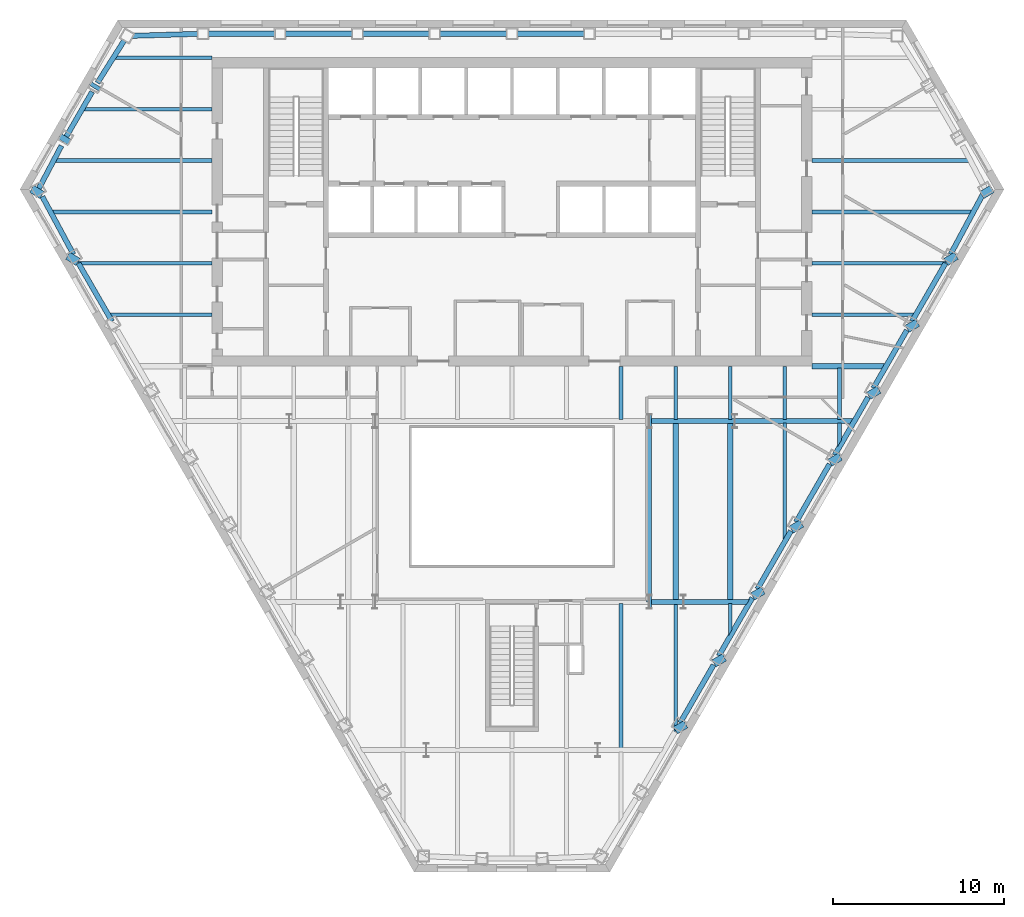
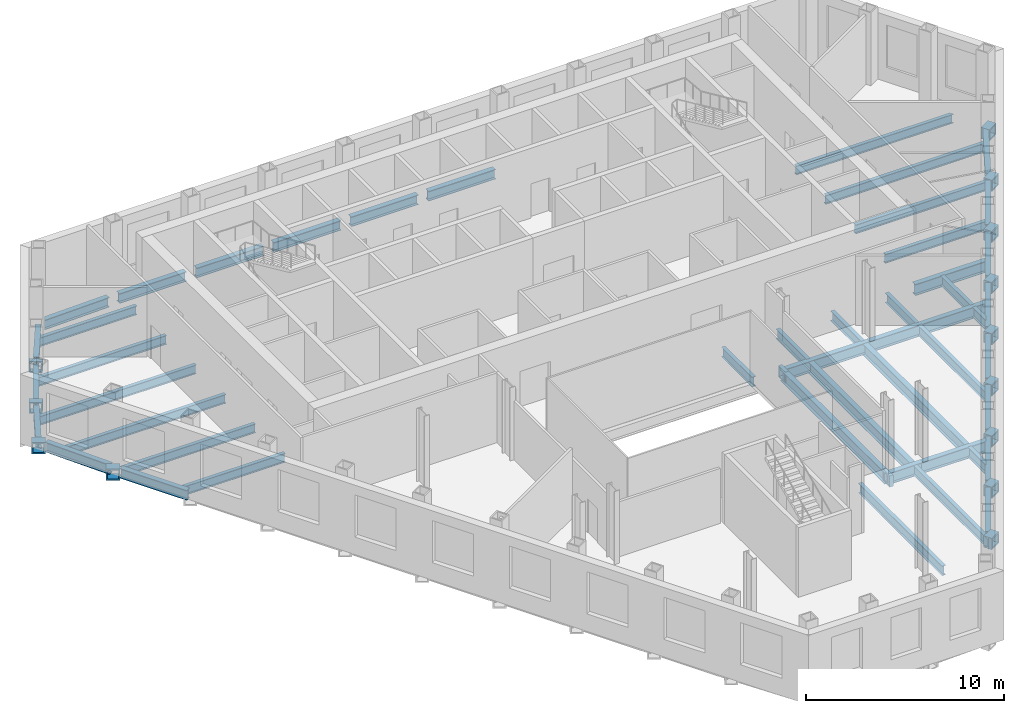
# One storey, part 3 of 11: 62 beams.
"""IFC4 building model written with IfcOpenShell, lengths in metres."""

from ifc_helpers import new_model, si_unit, direction, frame, origin, origin_2d, place, context, subcontext, project, spatial, hollow_rectangle, i_section, extrude, clip, halfspace, material, material_profile, profile_set, type_object, element, save


model = new_model("IFC4")

# Units and contexts
model_context = context("Model", 3, precision=1e-05, world=origin(), true_north=direction((0.0, 1.0)))
body_context = subcontext(model_context, "Body", "Model", "MODEL_VIEW")
ifc_project = project(units=[si_unit("LENGTHUNIT", "METRE"), si_unit("AREAUNIT", "SQUARE_METRE"), si_unit("VOLUMEUNIT", "CUBIC_METRE"), si_unit("PLANEANGLEUNIT", "RADIAN"), si_unit("MASSUNIT", "GRAM", prefix="KILO")], contexts=[model_context])

# Site, building, storey
site_placement = place(None, origin())
site = spatial("IfcSite", under=ifc_project, at=site_placement, CompositionType="ELEMENT")
building_placement = place(site_placement, origin())
building = spatial("IfcBuilding", under=site, at=building_placement, Name="Njiva Tower", CompositionType="ELEMENT")
storey_placement = place(building_placement, frame((0.0, 0.0, 46.8)))
storey = spatial("IfcBuildingStorey", under=building, at=storey_placement, Name="L09", CompositionType="ELEMENT", Elevation=46.8)

# Beams
ifc_material = material(Name="Steel S355 J2", Category="steel")
ifc_material_profile_1 = material_profile(ifc_material, i_section(OverallWidth=0.21, OverallDepth=0.55, WebThickness=0.0111, FlangeThickness=0.0172, at=origin_2d()), Name="IPE 550")
ifc_profile_set_1 = profile_set([ifc_material_profile_1], Name="Steel S355 J2")
beam_type_1 = type_object("IfcBeamType", Name="B10 Floor beam to the core IPE 550", PredefinedType="BEAM", material=ifc_profile_set_1)
beam_1_placement = place(storey_placement, frame((-23.521, 3.0, -0.475), z_axis=(1.0, 0.0, 0.0), x_axis=(0.0, 1.0, 0.0)))
element("IfcBeam", 1, at=beam_1_placement, inside=storey, type_object=beam_type_1, Name="Floor beam to the core S03-B006", PredefinedType="BEAM", context=body_context, shape_type="Clipping", body=[
    clip(extrude(i_section(OverallWidth=0.21, OverallDepth=0.55, WebThickness=0.0111, FlangeThickness=0.0172, at=origin_2d()), origin(), (0.0, 0.0, 1.0), 6.021), halfspace(frame((-0.025, 0.0, 0.0951), z_axis=(-0.499998009787, 0.0, -0.866026552831), x_axis=(0.0, -1.0, 0.0)), False)),
])
beam_2_placement = place(storey_placement, frame((17.5, 3.0, -0.475), z_axis=(1.0, 0.0, 0.0), x_axis=(0.0, 1.0, 0.0)))
element("IfcBeam", 2, at=beam_2_placement, inside=storey, type_object=beam_type_1, Name="Floor beam to the core S03-B008", PredefinedType="BEAM", context=body_context, shape_type="Clipping", body=[
    clip(extrude(i_section(OverallWidth=0.21, OverallDepth=0.55, WebThickness=0.0111, FlangeThickness=0.0172, at=origin_2d()), origin(), (0.0, 0.0, 1.0), 6.021), halfspace(frame((-0.025, 0.0, 5.9259), z_axis=(-0.499998009787, 0.0, 0.866026552831), x_axis=(0.0, 1.0, 0.0)), False)),
])
beam_3_placement = place(storey_placement, frame((-25.378, 6.0, -0.475), z_axis=(1.0, 0.0, 0.0), x_axis=(0.0, 1.0, 0.0)))
element("IfcBeam", 3, at=beam_3_placement, inside=storey, type_object=beam_type_1, Name="Floor beam to the core S03-B003", PredefinedType="BEAM", context=body_context, shape_type="Clipping", body=[
    clip(extrude(i_section(OverallWidth=0.21, OverallDepth=0.55, WebThickness=0.0111, FlangeThickness=0.0172, at=origin_2d()), origin(), (0.0, 0.0, 1.0), 7.878), halfspace(frame((-0.025, 0.0, 0.0959), z_axis=(-0.499998009787, 0.0, -0.866026552831), x_axis=(0.0, -1.0, 0.0)), False)),
])
beam_4_placement = place(storey_placement, frame((17.5, 6.0, -0.475), z_axis=(1.0, 0.0, 0.0), x_axis=(0.0, 1.0, 0.0)))
element("IfcBeam", 4, at=beam_4_placement, inside=storey, type_object=beam_type_1, Name="Floor beam to the core S03-B010", PredefinedType="BEAM", context=body_context, shape_type="Clipping", body=[
    clip(extrude(i_section(OverallWidth=0.21, OverallDepth=0.55, WebThickness=0.0111, FlangeThickness=0.0172, at=origin_2d()), origin(), (0.0, 0.0, 1.0), 7.878), halfspace(frame((-0.025, 0.0, 7.7821), z_axis=(-0.499998009787, 0.0, 0.866026552831), x_axis=(0.0, 1.0, 0.0)), False)),
])
beam_5_placement = place(storey_placement, frame((-26.881, 9.0, -0.475), z_axis=(1.0, 0.0, 0.0), x_axis=(0.0, 1.0, 0.0)))
element("IfcBeam", 5, at=beam_5_placement, inside=storey, type_object=beam_type_1, Name="Floor beam to the core S03-B001", PredefinedType="BEAM", context=body_context, shape_type="Clipping", body=[
    clip(extrude(i_section(OverallWidth=0.21, OverallDepth=0.55, WebThickness=0.0111, FlangeThickness=0.0172, at=origin_2d()), origin(), (0.0, 0.0, 1.0), 9.381), halfspace(frame((-0.0237, 0.0, 0.0892), z_axis=(-0.473769423091, 0.0, -0.880648927634), x_axis=(0.0, -1.0, 0.0)), False)),
])
beam_6_placement = place(storey_placement, frame((17.5, 9.0, -0.475), z_axis=(1.0, 0.0, 0.0), x_axis=(0.0, 1.0, 0.0)))
element("IfcBeam", 6, at=beam_6_placement, inside=storey, type_object=beam_type_1, Name="Floor beam to the core S03-B011", PredefinedType="BEAM", context=body_context, shape_type="Clipping", body=[
    clip(extrude(i_section(OverallWidth=0.21, OverallDepth=0.55, WebThickness=0.0111, FlangeThickness=0.0172, at=origin_2d()), origin(), (0.0, 0.0, 1.0), 9.381), halfspace(frame((-0.0237, 0.0, 9.2918), z_axis=(-0.473769423091, 0.0, 0.880648927634), x_axis=(0.0, 1.0, 0.0)), False)),
])
beam_7_placement = place(storey_placement, frame((-26.704, 12.0, -0.475), z_axis=(1.0, 0.0, 0.0), x_axis=(0.0, 1.0, 0.0)))
element("IfcBeam", 7, at=beam_7_placement, inside=storey, type_object=beam_type_1, Name="Floor beam to the core S03-B002", PredefinedType="BEAM", context=body_context, shape_type="Clipping", body=[
    clip(extrude(i_section(OverallWidth=0.21, OverallDepth=0.55, WebThickness=0.0111, FlangeThickness=0.0172, at=origin_2d()), origin(), (0.0, 0.0, 1.0), 9.204), halfspace(frame((0.0233, 0.0, 0.0871), z_axis=(0.465930652932, 0.0, -0.884821239945), x_axis=(0.0, -1.0, 0.0)), False)),
])
beam_8_placement = place(storey_placement, frame((17.5, 12.0, -0.475), z_axis=(1.0, 0.0, 0.0), x_axis=(0.0, 1.0, 0.0)))
element("IfcBeam", 8, at=beam_8_placement, inside=storey, type_object=beam_type_1, Name="Floor beam to the core S03-B012", PredefinedType="BEAM", context=body_context, shape_type="Clipping", body=[
    clip(extrude(i_section(OverallWidth=0.21, OverallDepth=0.55, WebThickness=0.0111, FlangeThickness=0.0172, at=origin_2d()), origin(), (0.0, 0.0, 1.0), 9.204), halfspace(frame((0.0233, 0.0, 9.1169), z_axis=(0.465930652932, 0.0, 0.884821239945), x_axis=(0.0, 1.0, 0.0)), False)),
])
beam_9_placement = place(storey_placement, frame((-25.044, 15.0, -0.475), z_axis=(1.0, 0.0, 0.0), x_axis=(0.0, 1.0, 0.0)))
element("IfcBeam", 9, at=beam_9_placement, inside=storey, type_object=beam_type_1, Name="Floor beam to the core S03-B005", PredefinedType="BEAM", context=body_context, shape_type="Clipping", body=[
    clip(extrude(i_section(OverallWidth=0.21, OverallDepth=0.55, WebThickness=0.0111, FlangeThickness=0.0172, at=origin_2d()), origin(), (0.0, 0.0, 1.0), 7.544), halfspace(frame((0.025, 0.0, 0.0954), z_axis=(0.499998009787, 0.0, -0.866026552831), x_axis=(0.0, -1.0, 0.0)), False)),
])
beam_10_placement = place(storey_placement, frame((-23.228, 18.0, -0.475), z_axis=(1.0, 0.0, 0.0), x_axis=(0.0, 1.0, 0.0)))
element("IfcBeam", 10, at=beam_10_placement, inside=storey, type_object=beam_type_1, Name="Floor beam to the core S03-B007", PredefinedType="BEAM", context=body_context, shape_type="Clipping", body=[
    clip(extrude(i_section(OverallWidth=0.21, OverallDepth=0.55, WebThickness=0.0111, FlangeThickness=0.0172, at=origin_2d()), origin(), (0.0, 0.0, 1.0), 5.728), halfspace(frame((0.0267, 0.0, 0.103), z_axis=(0.533317101749, 0.0, -0.84591540297), x_axis=(0.0, -1.0, 0.0)), False)),
])
ifc_material_profile_2 = material_profile(ifc_material, i_section(OverallWidth=0.3, OverallDepth=0.69, WebThickness=0.0145, FlangeThickness=0.027, at=origin_2d()), Name="HEA 700")
ifc_profile_set_2 = profile_set([ifc_material_profile_2], Name="Steel S355 J2")
beam_type_2 = type_object("IfcBeamType", Name="B12 Long-span floor joist HEA 700", PredefinedType="JOIST", material=ifc_profile_set_2)
for number, where, z_axis, x_axis, name in (
    (11, (9.55, -3.3, -0.545), (0.0, -1.0, 0.0), (1.0, 0.0, 0.0), "Long-span floor joist S03-B088"),
    (12, (12.733, -3.3, -0.545), (0.0, -1.0, 0.0), (1.0, 0.0, 0.0), "Long-span floor joist S03-B091"),
):
    element("IfcBeam", number, at=place(storey_placement, frame(where, z_axis=z_axis, x_axis=x_axis)), inside=storey, type_object=beam_type_2, Name=name, PredefinedType="JOIST", context=body_context, shape_type="SweptSolid", body=[
        extrude(i_section(OverallWidth=0.3, OverallDepth=0.69, WebThickness=0.0145, FlangeThickness=0.027, at=origin_2d()), origin(), (0.0, 0.0, 1.0), 10.35),
    ])
ifc_material_profile_3 = material_profile(ifc_material, i_section(OverallWidth=0.22, OverallDepth=0.6, WebThickness=0.012, FlangeThickness=0.019, at=origin_2d()), Name="IPE 600")
ifc_profile_set_3 = profile_set([ifc_material_profile_3], Name="Steel S355 J2")
beam_type_3 = type_object("IfcBeamType", Name="B13 Floor joist IPE 600", PredefinedType="JOIST", material=ifc_profile_set_3)
beam_11_placement = place(storey_placement, frame((6.367, -13.851, -0.5), z_axis=(0.0, -1.0, 0.0), x_axis=(1.0, 0.0, 0.0)))
element("IfcBeam", 13, at=beam_11_placement, inside=storey, type_object=beam_type_3, Name="Floor joist S03-B084", PredefinedType="JOIST", context=body_context, shape_type="SweptSolid", body=[
    extrude(i_section(OverallWidth=0.22, OverallDepth=0.6, WebThickness=0.012, FlangeThickness=0.019, at=origin_2d()), origin(), (0.0, 0.0, 1.0), 8.449),
])
beam_12_placement = place(storey_placement, frame((9.55, -13.85, -0.5), z_axis=(0.0, -1.0, 0.0), x_axis=(1.0, 0.0, 0.0)))
element("IfcBeam", 14, at=beam_12_placement, inside=storey, type_object=beam_type_3, Name="Floor joist S03-B086", PredefinedType="JOIST", context=body_context, shape_type="Clipping", body=[
    clip(extrude(i_section(OverallWidth=0.22, OverallDepth=0.6, WebThickness=0.012, FlangeThickness=0.019, at=origin_2d()), origin(), (0.0, 0.0, 1.0), 7.635), halfspace(frame((0.0433, 0.0, 7.349), z_axis=(0.866026552831, 0.0, 0.499998009787), x_axis=(0.0, 1.0, 0.0)), False)),
])
beam_13_placement = place(storey_placement, frame((15.917, -3.3, -0.5), z_axis=(0.0, -1.0, 0.0), x_axis=(1.0, 0.0, 0.0)))
element("IfcBeam", 15, at=beam_13_placement, inside=storey, type_object=beam_type_3, Name="Floor joist S03-B093", PredefinedType="JOIST", context=body_context, shape_type="Clipping", body=[
    clip(extrude(i_section(OverallWidth=0.22, OverallDepth=0.6, WebThickness=0.012, FlangeThickness=0.019, at=origin_2d()), origin(), (0.0, 0.0, 1.0), 6.942), halfspace(frame((0.043, 0.0, 6.6564), z_axis=(0.866026552831, 0.0, 0.499998009787), x_axis=(0.0, 1.0, 0.0)), False)),
])
ifc_material_profile_4 = material_profile(ifc_material, i_section(OverallWidth=0.22, OverallDepth=0.6, WebThickness=0.012, FlangeThickness=0.019, at=origin_2d()), Name="IPE 600")
ifc_profile_set_4 = profile_set([ifc_material_profile_4], Name="Steel S355 J2")
beam_type_4 = type_object("IfcBeamType", Name="B14 Short-span floor joist IPE 600", PredefinedType="JOIST", material=ifc_profile_set_4)
beam_14_placement = place(storey_placement, frame((6.367, -0.005, -0.5), z_axis=(0.0, -1.0, 0.0), x_axis=(1.0, 0.0, 0.0)))
element("IfcBeam", 16, at=beam_14_placement, inside=storey, type_object=beam_type_4, Name="Short-span floor joist S03-B085", PredefinedType="JOIST", context=body_context, shape_type="SweptSolid", body=[
    extrude(i_section(OverallWidth=0.22, OverallDepth=0.6, WebThickness=0.012, FlangeThickness=0.019, at=origin_2d()), origin(), (0.0, 0.0, 1.0), 3.094),
])
for number, where, z_axis, x_axis, name in (
    (17, (9.55, -0.005, -0.5), (0.0, -1.0, 0.0), (1.0, 0.0, 0.0), "Short-span floor joist S03-B089"),
    (18, (12.733, -0.005, -0.5), (0.0, -1.0, 0.0), (1.0, 0.0, 0.0), "Short-span floor joist S03-B092"),
):
    element("IfcBeam", number, at=place(storey_placement, frame(where, z_axis=z_axis, x_axis=x_axis)), inside=storey, type_object=beam_type_4, Name=name, PredefinedType="JOIST", context=body_context, shape_type="SweptSolid", body=[
        extrude(i_section(OverallWidth=0.22, OverallDepth=0.6, WebThickness=0.012, FlangeThickness=0.019, at=origin_2d()), origin(), (0.0, 0.0, 1.0), 3.095),
    ])
beam_15_placement = place(storey_placement, frame((12.733, -13.85, -0.5), z_axis=(0.0, -1.0, 0.0), x_axis=(1.0, 0.0, 0.0)))
element("IfcBeam", 19, at=beam_15_placement, inside=storey, type_object=beam_type_4, Name="Short-span floor joist S03-B090", PredefinedType="JOIST", context=body_context, shape_type="Clipping", body=[
    clip(extrude(i_section(OverallWidth=0.22, OverallDepth=0.6, WebThickness=0.012, FlangeThickness=0.019, at=origin_2d()), origin(), (0.0, 0.0, 1.0), 1.906), halfspace(frame((0.0436, 0.0, 1.6201), z_axis=(0.866026552831, 0.0, 0.499998009787), x_axis=(0.0, 1.0, 0.0)), False)),
])
beam_16_placement = place(storey_placement, frame((15.917, -0.005, -0.5), z_axis=(0.0, -1.0, 0.0), x_axis=(1.0, 0.0, 0.0)))
element("IfcBeam", 20, at=beam_16_placement, inside=storey, type_object=beam_type_4, Name="Short-span floor joist S03-B094", PredefinedType="JOIST", context=body_context, shape_type="SweptSolid", body=[
    extrude(i_section(OverallWidth=0.22, OverallDepth=0.6, WebThickness=0.012, FlangeThickness=0.019, at=origin_2d()), origin(), (0.0, 0.0, 1.0), 3.095),
])
beam_17_placement = place(storey_placement, frame((19.1, -0.1, -0.5), z_axis=(0.0, -1.0, 0.0), x_axis=(1.0, 0.0, 0.0)))
element("IfcBeam", 21, at=beam_17_placement, inside=storey, type_object=beam_type_4, Name="Short-span floor joist S03-B096", PredefinedType="JOIST", context=body_context, shape_type="SweptSolid", body=[
    extrude(i_section(OverallWidth=0.22, OverallDepth=0.6, WebThickness=0.012, FlangeThickness=0.019, at=origin_2d()), origin(), (0.0, 0.0, 1.0), 3.0),
])
beam_18_placement = place(storey_placement, frame((19.1, -3.3, -0.5), z_axis=(0.0, -1.0, 0.0), x_axis=(1.0, 0.0, 0.0)))
element("IfcBeam", 22, at=beam_18_placement, inside=storey, type_object=beam_type_4, Name="Short-span floor joist S03-B095", PredefinedType="JOIST", context=body_context, shape_type="Clipping", body=[
    clip(extrude(i_section(OverallWidth=0.22, OverallDepth=0.6, WebThickness=0.012, FlangeThickness=0.019, at=origin_2d()), origin(), (0.0, 0.0, 1.0), 1.429), halfspace(frame((0.0433, 0.0, 1.1427), z_axis=(0.866026552831, 0.0, 0.499998009787), x_axis=(0.0, 1.0, 0.0)), False)),
])
ifc_material_profile_5 = material_profile(ifc_material, i_section(OverallWidth=0.3, OverallDepth=0.69, WebThickness=0.0145, FlangeThickness=0.027, at=origin_2d()), Name="HEA 700")
ifc_profile_set_5 = profile_set([ifc_material_profile_5], Name="Steel S355 J2")
beam_type_5 = type_object("IfcBeamType", Name="B15 Floor girder HEA 700", PredefinedType="BEAM", material=ifc_profile_set_5)
beam_19_placement = place(storey_placement, frame((8.0, -3.2, -0.545), z_axis=(1.0, 0.0, 0.0), x_axis=(0.0, 1.0, 0.0)))
element("IfcBeam", 23, at=beam_19_placement, inside=storey, type_object=beam_type_5, Name="Floor girder S03-B024", PredefinedType="BEAM", context=body_context, shape_type="SweptSolid", body=[
    extrude(i_section(OverallWidth=0.3, OverallDepth=0.69, WebThickness=0.0145, FlangeThickness=0.027, at=origin_2d()), origin(), (0.0, 0.0, 1.0), 5.0),
])
beam_20_placement = place(storey_placement, frame((13.0, -3.2, -0.545), z_axis=(1.0, 0.0, 0.0), x_axis=(0.0, 1.0, 0.0)))
element("IfcBeam", 24, at=beam_20_placement, inside=storey, type_object=beam_type_5, Name="Floor girder S03-B026", PredefinedType="BEAM", context=body_context, shape_type="Clipping", body=[
    clip(extrude(i_section(OverallWidth=0.3, OverallDepth=0.69, WebThickness=0.0145, FlangeThickness=0.027, at=origin_2d()), origin(), (0.0, 0.0, 1.0), 6.968), halfspace(frame((-0.025, 0.0, 6.8463), z_axis=(-0.499998009787, 0.0, 0.866026552831), x_axis=(0.0, 1.0, 0.0)), False)),
])
ifc_material_profile_6 = material_profile(ifc_material, i_section(OverallWidth=0.3, OverallDepth=0.69, WebThickness=0.0145, FlangeThickness=0.027, at=origin_2d()), Name="HEA 700")
ifc_profile_set_6 = profile_set([ifc_material_profile_6], Name="Steel S355 J2")
beam_type_6 = type_object("IfcBeamType", Name="B16 Short-span floor girder HEA 700", PredefinedType="BEAM", material=ifc_profile_set_6)
beam_21_placement = place(storey_placement, frame((8.0, -13.75, -0.545), z_axis=(1.0, 0.0, 0.0), x_axis=(0.0, 1.0, 0.0)))
element("IfcBeam", 25, at=beam_21_placement, inside=storey, type_object=beam_type_6, Name="Short-span floor girder S03-B023", PredefinedType="BEAM", context=body_context, shape_type="SweptSolid", body=[
    extrude(i_section(OverallWidth=0.3, OverallDepth=0.69, WebThickness=0.0145, FlangeThickness=0.027, at=origin_2d()), origin(), (0.0, 0.0, 1.0), 2.0),
])
beam_22_placement = place(storey_placement, frame((10.0, -13.75, -0.545), z_axis=(1.0, 0.0, 0.0), x_axis=(0.0, 1.0, 0.0)))
element("IfcBeam", 26, at=beam_22_placement, inside=storey, type_object=beam_type_6, Name="Short-span floor girder S03-B025", PredefinedType="BEAM", context=body_context, shape_type="Clipping", body=[
    clip(extrude(i_section(OverallWidth=0.3, OverallDepth=0.69, WebThickness=0.0145, FlangeThickness=0.027, at=origin_2d()), origin(), (0.0, 0.0, 1.0), 3.877), halfspace(frame((-0.025, 0.0, 3.7553), z_axis=(-0.499998009787, 0.0, 0.866026552831), x_axis=(0.0, 1.0, 0.0)), False)),
])
beam_23_placement = place(storey_placement, frame((17.5, 0.0, -0.545), z_axis=(1.0, 0.0, 0.0), x_axis=(0.0, 1.0, 0.0)))
element("IfcBeam", 27, at=beam_23_placement, inside=storey, type_object=beam_type_6, Name="Short-span floor girder S03-B027", PredefinedType="BEAM", context=body_context, shape_type="Clipping", body=[
    clip(extrude(i_section(OverallWidth=0.3, OverallDepth=0.69, WebThickness=0.0145, FlangeThickness=0.027, at=origin_2d()), origin(), (0.0, 0.0, 1.0), 4.315), halfspace(frame((-0.025, 0.0, 4.1939), z_axis=(-0.499998009787, 0.0, 0.866026552831), x_axis=(0.0, 1.0, 0.0)), False)),
])
ifc_material_profile_7 = material_profile(ifc_material, i_section(OverallWidth=0.3, OverallDepth=0.69, WebThickness=0.0145, FlangeThickness=0.027, at=origin_2d()), Name="HEA 700")
ifc_profile_set_7 = profile_set([ifc_material_profile_7], Name="Steel S355 J2")
beam_type_7 = type_object("IfcBeamType", Name="B18 Long-span atrium trimmer beam HEA 700", PredefinedType="BEAM", material=ifc_profile_set_7)
beam_24_placement = place(storey_placement, frame((8.0, -13.75, -0.545), z_axis=(0.0, 1.0, 0.0), x_axis=(-1.0, 0.0, 0.0)))
element("IfcBeam", 28, at=beam_24_placement, inside=storey, type_object=beam_type_7, Name="Long-span atrium trimmer beam S03-B101", PredefinedType="BEAM", context=body_context, shape_type="SweptSolid", body=[
    extrude(i_section(OverallWidth=0.3, OverallDepth=0.69, WebThickness=0.0145, FlangeThickness=0.027, at=origin_2d()), origin(), (0.0, 0.0, 1.0), 10.55),
])
ifc_material_profile_8 = material_profile(ifc_material, hollow_rectangle(XDim=0.7, YDim=0.7, WallThickness=0.08, at=origin_2d()), Name="BOX 700x700x80")
ifc_profile_set_8 = profile_set([ifc_material_profile_8], Name="Steel S355 J2")
beam_type_8 = type_object("IfcBeamType", Name="B19 Column jog beam BOX 700x700x80", PredefinedType="BEAM", material=ifc_profile_set_8)
beam_25_placement = place(storey_placement, frame((-24.381, 16.221, -0.55), z_axis=(0.530374274626, 0.847763604323, 0.0), x_axis=(-0.847763604323, 0.530374274626, 0.0)))
element("IfcBeam", 29, at=beam_25_placement, inside=storey, type_object=beam_type_8, Name="Column jog beam S03-B031", PredefinedType="BEAM", context=body_context, shape_type="SweptSolid", body=[
    extrude(hollow_rectangle(XDim=0.7, YDim=0.7, WallThickness=0.08, at=origin_2d()), origin(), (0.0, 0.0, 1.0), 0.2395),
])
beam_26_placement = place(storey_placement, frame((-26.186, 13.093, -0.55), z_axis=(0.515738557296, 0.856746018677, 0.0), x_axis=(-0.856746018677, 0.515738557296, 0.0)))
element("IfcBeam", 30, at=beam_26_placement, inside=storey, type_object=beam_type_8, Name="Column jog beam S03-B029", PredefinedType="BEAM", context=body_context, shape_type="SweptSolid", body=[
    extrude(hollow_rectangle(XDim=0.7, YDim=0.7, WallThickness=0.08, at=origin_2d()), origin(), (0.0, 0.0, 1.0), 0.3548),
])
beam_27_placement = place(storey_placement, frame((-27.839, 9.964, -0.55), z_axis=(0.511075392877, 0.859535888021, 0.0), x_axis=(-0.859535888021, 0.511075392877, 0.0)))
element("IfcBeam", 31, at=beam_27_placement, inside=storey, type_object=beam_type_8, Name="Column jog beam S03-B028", PredefinedType="BEAM", context=body_context, shape_type="SweptSolid", body=[
    extrude(hollow_rectangle(XDim=0.7, YDim=0.7, WallThickness=0.08, at=origin_2d()), origin(), (0.0, 0.0, 1.0), 0.4735),
])
beam_28_placement = place(storey_placement, frame((-25.738, 6.059, -0.55), z_axis=(0.51014905422, 0.860086008768, 0.0), x_axis=(-0.860086008768, 0.51014905422, 0.0)))
element("IfcBeam", 32, at=beam_28_placement, inside=storey, type_object=beam_type_8, Name="Column jog beam S03-B030", PredefinedType="BEAM", context=body_context, shape_type="SweptSolid", body=[
    extrude(hollow_rectangle(XDim=0.7, YDim=0.7, WallThickness=0.08, at=origin_2d()), origin(), (0.0, 0.0, 1.0), 0.4744),
])
for number, where, z_axis, x_axis, name in (
    (33, (9.957, -21.273, -0.55), (-0.495234720822, 0.868759213645, 0.0), (-0.868759213645, -0.495234720822, 0.0), "Column jog beam S03-B049"),
    (34, (12.211, -17.369, -0.55), (-0.495234720822, 0.868759213645, 0.0), (-0.868759213645, -0.495234720822, 0.0), "Column jog beam S03-B050"),
):
    element("IfcBeam", number, at=place(storey_placement, frame(where, z_axis=z_axis, x_axis=x_axis)), inside=storey, type_object=beam_type_8, Name=name, PredefinedType="BEAM", context=body_context, shape_type="SweptSolid", body=[
        extrude(hollow_rectangle(XDim=0.7, YDim=0.7, WallThickness=0.08, at=origin_2d()), origin(), (0.0, 0.0, 1.0), 0.4765),
    ])
beam_29_placement = place(storey_placement, frame((14.465, -13.464, -0.55), z_axis=(-0.498629231199, 0.86681537238, 0.0), x_axis=(-0.86681537238, -0.498629231199, 0.0)))
element("IfcBeam", 35, at=beam_29_placement, inside=storey, type_object=beam_type_8, Name="Column jog beam S03-B051", PredefinedType="BEAM", context=body_context, shape_type="SweptSolid", body=[
    extrude(hollow_rectangle(XDim=0.7, YDim=0.7, WallThickness=0.08, at=origin_2d()), origin(), (0.0, 0.0, 1.0), 0.4753),
])
for number, where, z_axis, x_axis, name in (
    (36, (16.72, -9.559, -0.55), (-0.501119266826, 0.865378229687, 0.0), (-0.865378229687, -0.501119266826, 0.0), "Column jog beam S03-B052"),
    (37, (18.974, -5.655, -0.55), (-0.501119266826, 0.865378229687, 0.0), (-0.865378229687, -0.501119266826, 0.0), "Column jog beam S03-B053"),
):
    element("IfcBeam", number, at=place(storey_placement, frame(where, z_axis=z_axis, x_axis=x_axis)), inside=storey, type_object=beam_type_8, Name=name, PredefinedType="BEAM", context=body_context, shape_type="SweptSolid", body=[
        extrude(hollow_rectangle(XDim=0.7, YDim=0.7, WallThickness=0.08, at=origin_2d()), origin(), (0.0, 0.0, 1.0), 0.4749),
    ])
beam_30_placement = place(storey_placement, frame((21.228, -1.75, -0.55), z_axis=(-0.502950987997, 0.864314933154, 0.0), x_axis=(-0.864314933154, -0.502950987997, 0.0)))
element("IfcBeam", 38, at=beam_30_placement, inside=storey, type_object=beam_type_8, Name="Column jog beam S03-B054", PredefinedType="BEAM", context=body_context, shape_type="SweptSolid", body=[
    extrude(hollow_rectangle(XDim=0.7, YDim=0.7, WallThickness=0.08, at=origin_2d()), origin(), (0.0, 0.0, 1.0), 0.4732),
])
beam_31_placement = place(storey_placement, frame((23.483, 2.154, -0.55), z_axis=(-0.504527147117, 0.863395829167, 0.0), x_axis=(-0.863395829167, -0.504527147117, 0.0)))
element("IfcBeam", 39, at=beam_31_placement, inside=storey, type_object=beam_type_8, Name="Column jog beam S03-B055", PredefinedType="BEAM", context=body_context, shape_type="SweptSolid", body=[
    extrude(hollow_rectangle(XDim=0.7, YDim=0.7, WallThickness=0.08, at=origin_2d()), origin(), (0.0, 0.0, 1.0), 0.4737),
])
beam_32_placement = place(storey_placement, frame((25.738, 6.059, -0.55), z_axis=(-0.51014905422, 0.860086008768, 0.0), x_axis=(-0.860086008768, -0.51014905422, 0.0)))
element("IfcBeam", 40, at=beam_32_placement, inside=storey, type_object=beam_type_8, Name="Column jog beam S03-B057", PredefinedType="BEAM", context=body_context, shape_type="SweptSolid", body=[
    extrude(hollow_rectangle(XDim=0.7, YDim=0.7, WallThickness=0.08, at=origin_2d()), origin(), (0.0, 0.0, 1.0), 0.4744),
])
beam_33_placement = place(storey_placement, frame((27.839, 9.964, -0.55), z_axis=(-0.511075392877, 0.859535888021, 0.0), x_axis=(-0.859535888021, -0.511075392877, 0.0)))
element("IfcBeam", 41, at=beam_33_placement, inside=storey, type_object=beam_type_8, Name="Column jog beam S03-B059", PredefinedType="BEAM", context=body_context, shape_type="SweptSolid", body=[
    extrude(hollow_rectangle(XDim=0.7, YDim=0.7, WallThickness=0.08, at=origin_2d()), origin(), (0.0, 0.0, 1.0), 0.4735),
])
for number, where, z_axis, x_axis, name in (
    (42, (8.15, -3.2, -0.55), (-1.0, 0.0, 0.0), (0.0, -1.0, 0.0), "Column jog beam S03-B048"),
    (43, (8.15, -13.75, -0.55), (-1.0, 0.0, 0.0), (0.0, -1.0, 0.0), "Column jog beam S03-B047"),
):
    element("IfcBeam", number, at=place(storey_placement, frame(where, z_axis=z_axis, x_axis=x_axis)), inside=storey, type_object=beam_type_8, Name=name, PredefinedType="BEAM", context=body_context, shape_type="SweptSolid", body=[
        extrude(hollow_rectangle(XDim=0.7, YDim=0.7, WallThickness=0.08, at=origin_2d()), origin(), (0.0, 0.0, 1.0), 0.21),
    ])
ifc_material_profile_9 = material_profile(ifc_material, i_section(OverallWidth=0.3, OverallDepth=0.6, WebThickness=0.0155, FlangeThickness=0.03, at=origin_2d()), Name="HEB 600")
ifc_profile_set_9 = profile_set([ifc_material_profile_9], Name="Steel S355 J2")
beam_type_9 = type_object("IfcBeamType", Name="B3 Short-span spandrel beam HEB 600", PredefinedType="SPANDREL", material=ifc_profile_set_9)
for number, where, z_axis, x_axis, name in (
    (44, (4.209, 19.4, -0.5), (-1.0, 0.0, 0.0), (0.0, -1.0, 0.0), "Short-span spandrel beam S03-B141"),
    (45, (-0.3, 19.4, -0.5), (-1.0, 0.0, 0.0), (0.0, -1.0, 0.0), "Short-span spandrel beam S03-B138"),
):
    element("IfcBeam", number, at=place(storey_placement, frame(where, z_axis=z_axis, x_axis=x_axis)), inside=storey, type_object=beam_type_9, Name=name, PredefinedType="SPANDREL", context=body_context, shape_type="SweptSolid", body=[
        extrude(i_section(OverallWidth=0.3, OverallDepth=0.6, WebThickness=0.0155, FlangeThickness=0.03, at=origin_2d()), origin(), (0.0, 0.0, 1.0), 3.909),
    ])
beam_34_placement = place(storey_placement, frame((-4.809, 19.4, -0.5), z_axis=(-1.0, 0.0, 0.0), x_axis=(0.0, -1.0, 0.0)))
element("IfcBeam", 46, at=beam_34_placement, inside=storey, type_object=beam_type_9, Name="Short-span spandrel beam S03-B133", PredefinedType="SPANDREL", context=body_context, shape_type="SweptSolid", body=[
    extrude(i_section(OverallWidth=0.3, OverallDepth=0.6, WebThickness=0.0155, FlangeThickness=0.03, at=origin_2d()), origin(), (0.0, 0.0, 1.0), 3.908),
])
beam_35_placement = place(storey_placement, frame((-9.317, 19.4, -0.5), z_axis=(-1.0, 0.0, 0.0), x_axis=(0.0, -1.0, 0.0)))
element("IfcBeam", 47, at=beam_35_placement, inside=storey, type_object=beam_type_9, Name="Short-span spandrel beam S03-B127", PredefinedType="SPANDREL", context=body_context, shape_type="SweptSolid", body=[
    extrude(i_section(OverallWidth=0.3, OverallDepth=0.6, WebThickness=0.0155, FlangeThickness=0.03, at=origin_2d()), origin(), (0.0, 0.0, 1.0), 3.909),
])
beam_36_placement = place(storey_placement, frame((-13.826, 19.4, -0.5), z_axis=(-1.0, 0.0, 0.0), x_axis=(0.0, -1.0, 0.0)))
element("IfcBeam", 48, at=beam_36_placement, inside=storey, type_object=beam_type_9, Name="Short-span spandrel beam S03-B121", PredefinedType="SPANDREL", context=body_context, shape_type="SweptSolid", body=[
    extrude(i_section(OverallWidth=0.3, OverallDepth=0.6, WebThickness=0.0155, FlangeThickness=0.03, at=origin_2d()), origin(), (0.0, 0.0, 1.0), 3.908),
])
beam_37_placement = place(storey_placement, frame((-18.338, 19.391, -0.5), z_axis=(-0.999544572792, -0.03017692831, 0.0), x_axis=(0.03017692831, -0.999544572792, 0.0)))
element("IfcBeam", 49, at=beam_37_placement, inside=storey, type_object=beam_type_9, Name="Short-span spandrel beam S03-B115", PredefinedType="SPANDREL", context=body_context, shape_type="Clipping", body=[
    clip(extrude(i_section(OverallWidth=0.3, OverallDepth=0.6, WebThickness=0.0155, FlangeThickness=0.03, at=origin_2d()), origin(), (0.0, 0.0, 1.0), 3.8907), halfspace(frame((-0.0266, 0.0, 3.7611), z_axis=(-0.525904318289, 0.0, 0.85054373668), x_axis=(0.0, 1.0, 0.0)), False)),
])
beam_38_placement = place(storey_placement, frame((-22.625, 19.007, -0.5), z_axis=(-0.533401852676, -0.845861964839, 0.0), x_axis=(0.845861964839, -0.533401852676, 0.0)))
element("IfcBeam", 50, at=beam_38_placement, inside=storey, type_object=beam_type_9, Name="Short-span spandrel beam S03-B111", PredefinedType="SPANDREL", context=body_context, shape_type="SweptSolid", body=[
    extrude(i_section(OverallWidth=0.3, OverallDepth=0.6, WebThickness=0.0155, FlangeThickness=0.03, at=origin_2d()), origin(), (0.0, 0.0, 1.0), 2.9284),
])
beam_39_placement = place(storey_placement, frame((-24.495, 16.01, -0.5), z_axis=(-0.50006736263, -0.865986508459, 0.0), x_axis=(0.865986508459, -0.50006736263, 0.0)))
element("IfcBeam", 51, at=beam_39_placement, inside=storey, type_object=beam_type_9, Name="Short-span spandrel beam S03-B107", PredefinedType="SPANDREL", context=body_context, shape_type="SweptSolid", body=[
    extrude(i_section(OverallWidth=0.3, OverallDepth=0.6, WebThickness=0.0155, FlangeThickness=0.03, at=origin_2d()), origin(), (0.0, 0.0, 1.0), 3.0116),
])
beam_40_placement = place(storey_placement, frame((-26.286, 12.867, -0.5), z_axis=(-0.465946163887, -0.884813071987, 0.0), x_axis=(0.884813071987, -0.465946163887, 0.0)))
element("IfcBeam", 52, at=beam_40_placement, inside=storey, type_object=beam_type_9, Name="Short-span spandrel beam S03-B103", PredefinedType="SPANDREL", context=body_context, shape_type="Clipping", body=[
    clip(extrude(i_section(OverallWidth=0.3, OverallDepth=0.6, WebThickness=0.0155, FlangeThickness=0.03, at=origin_2d()), origin(), (0.0, 0.0, 1.0), 3.0037), halfspace(frame((-0.0263, 0.0, 2.8721), z_axis=(-0.533299460022, 0.0, 0.845926525143), x_axis=(0.0, 1.0, 0.0)), False)),
])
beam_41_placement = place(storey_placement, frame((-27.402, 9.9, -0.5), z_axis=(0.473648213151, -0.880714125116, 0.0), x_axis=(0.880714125116, 0.473648213151, 0.0)))
element("IfcBeam", 53, at=beam_41_placement, inside=storey, type_object=beam_type_9, Name="Short-span spandrel beam S03-B106", PredefinedType="SPANDREL", context=body_context, shape_type="SweptSolid", body=[
    extrude(i_section(OverallWidth=0.3, OverallDepth=0.6, WebThickness=0.0155, FlangeThickness=0.03, at=origin_2d()), origin(), (0.0, 0.0, 1.0), 3.8298),
])
beam_42_placement = place(storey_placement, frame((-25.291, 6.005, -0.5), z_axis=(0.500128417272, -0.865951249342, 0.0), x_axis=(0.865951249342, 0.500128417272, 0.0)))
element("IfcBeam", 54, at=beam_42_placement, inside=storey, type_object=beam_type_9, Name="Short-span spandrel beam S03-B110", PredefinedType="SPANDREL", context=body_context, shape_type="SweptSolid", body=[
    extrude(i_section(OverallWidth=0.3, OverallDepth=0.6, WebThickness=0.0155, FlangeThickness=0.03, at=origin_2d()), origin(), (0.0, 0.0, 1.0), 3.909),
])
beam_43_placement = place(storey_placement, frame((9.811, -20.807, -0.5), z_axis=(0.500047346826, 0.865998066356, 0.0), x_axis=(-0.865998066356, 0.500047346826, 0.0)))
element("IfcBeam", 55, at=beam_43_placement, inside=storey, type_object=beam_type_9, Name="Short-span spandrel beam S03-B151", PredefinedType="SPANDREL", context=body_context, shape_type="SweptSolid", body=[
    extrude(i_section(OverallWidth=0.3, OverallDepth=0.6, WebThickness=0.0155, FlangeThickness=0.03, at=origin_2d()), origin(), (0.0, 0.0, 1.0), 3.9076),
])
beam_44_placement = place(storey_placement, frame((12.065, -16.903, -0.5), z_axis=(0.499936548189, 0.866062034606, 0.0), x_axis=(-0.866062034606, 0.499936548189, 0.0)))
element("IfcBeam", 56, at=beam_44_placement, inside=storey, type_object=beam_type_9, Name="Short-span spandrel beam S03-B153", PredefinedType="SPANDREL", context=body_context, shape_type="SweptSolid", body=[
    extrude(i_section(OverallWidth=0.3, OverallDepth=0.6, WebThickness=0.0155, FlangeThickness=0.03, at=origin_2d()), origin(), (0.0, 0.0, 1.0), 3.9085),
])
beam_45_placement = place(storey_placement, frame((14.319, -12.999, -0.5), z_axis=(0.500017645376, 0.866015215982, 0.0), x_axis=(-0.866015215982, 0.500017645376, 0.0)))
element("IfcBeam", 57, at=beam_45_placement, inside=storey, type_object=beam_type_9, Name="Short-span spandrel beam S03-B157", PredefinedType="SPANDREL", context=body_context, shape_type="SweptSolid", body=[
    extrude(i_section(OverallWidth=0.3, OverallDepth=0.6, WebThickness=0.0155, FlangeThickness=0.03, at=origin_2d()), origin(), (0.0, 0.0, 1.0), 3.9099),
])
beam_46_placement = place(storey_placement, frame((16.574, -9.093, -0.5), z_axis=(0.500047346826, 0.865998066356, 0.0), x_axis=(-0.865998066356, 0.500047346826, 0.0)))
element("IfcBeam", 58, at=beam_46_placement, inside=storey, type_object=beam_type_9, Name="Short-span spandrel beam S03-B159", PredefinedType="SPANDREL", context=body_context, shape_type="SweptSolid", body=[
    extrude(i_section(OverallWidth=0.3, OverallDepth=0.6, WebThickness=0.0155, FlangeThickness=0.03, at=origin_2d()), origin(), (0.0, 0.0, 1.0), 3.9076),
])
for number, where, z_axis, x_axis, name in (
    (59, (18.828, -5.189, -0.5), (0.499936548189, 0.866062034606, 0.0), (-0.866062034606, 0.499936548189, 0.0), "Short-span spandrel beam S03-B163"),
    (60, (21.082, -1.285, -0.5), (0.499936548189, 0.866062034606, 0.0), (-0.866062034606, 0.499936548189, 0.0), "Short-span spandrel beam S03-B165"),
):
    element("IfcBeam", number, at=place(storey_placement, frame(where, z_axis=z_axis, x_axis=x_axis)), inside=storey, type_object=beam_type_9, Name=name, PredefinedType="SPANDREL", context=body_context, shape_type="SweptSolid", body=[
        extrude(i_section(OverallWidth=0.3, OverallDepth=0.6, WebThickness=0.0155, FlangeThickness=0.03, at=origin_2d()), origin(), (0.0, 0.0, 1.0), 3.9085),
    ])
beam_47_placement = place(storey_placement, frame((23.336, 2.62, -0.5), z_axis=(0.500128417272, 0.865951249342, 0.0), x_axis=(-0.865951249342, 0.500128417272, 0.0)))
element("IfcBeam", 61, at=beam_47_placement, inside=storey, type_object=beam_type_9, Name="Short-span spandrel beam S03-B169", PredefinedType="SPANDREL", context=body_context, shape_type="SweptSolid", body=[
    extrude(i_section(OverallWidth=0.3, OverallDepth=0.6, WebThickness=0.0155, FlangeThickness=0.03, at=origin_2d()), origin(), (0.0, 0.0, 1.0), 3.909),
])
beam_48_placement = place(storey_placement, frame((25.588, 6.527, -0.5), z_axis=(0.473693004869, 0.880690034653, 0.0), x_axis=(-0.880690034653, 0.473693004869, 0.0)))
element("IfcBeam", 62, at=beam_48_placement, inside=storey, type_object=beam_type_9, Name="Short-span spandrel beam S03-B173", PredefinedType="SPANDREL", context=body_context, shape_type="Clipping", body=[
    clip(extrude(i_section(OverallWidth=0.3, OverallDepth=0.6, WebThickness=0.0155, FlangeThickness=0.03, at=origin_2d()), origin(), (0.0, 0.0, 1.0), 4.0713), halfspace(frame((-0.0264, 0.0, 3.9423), z_axis=(-0.525855395139, 0.0, 0.850573984673), x_axis=(0.0, 1.0, 0.0)), False)),
])

save(model, "model.ifc")
